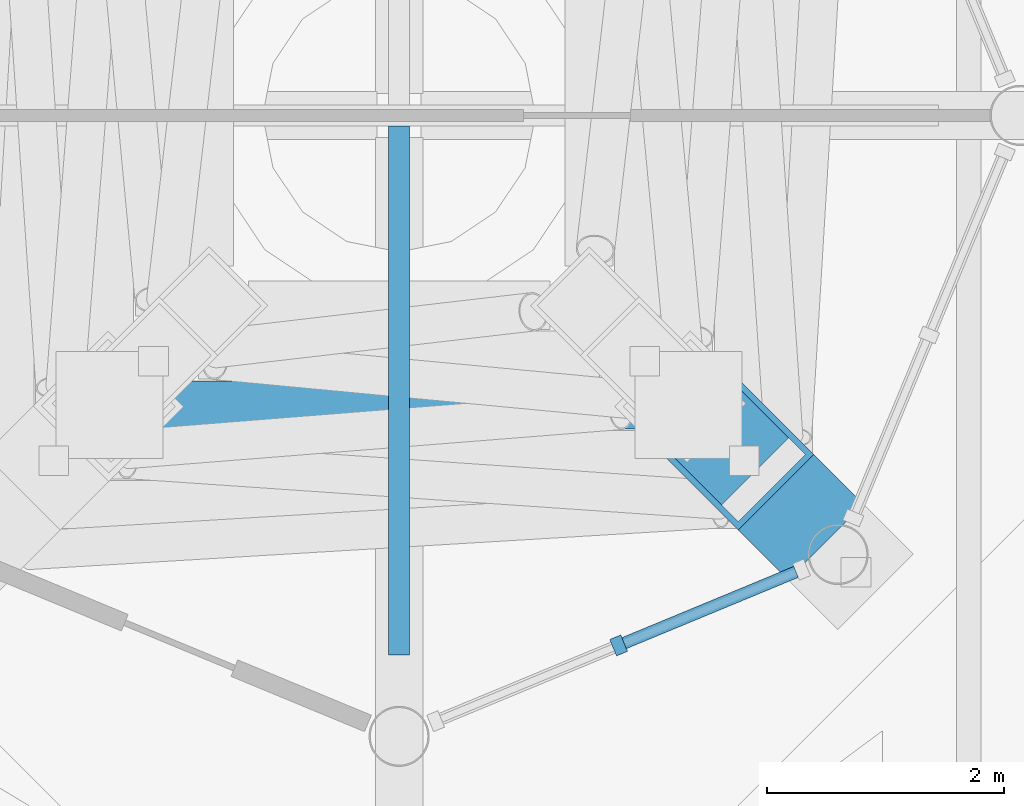
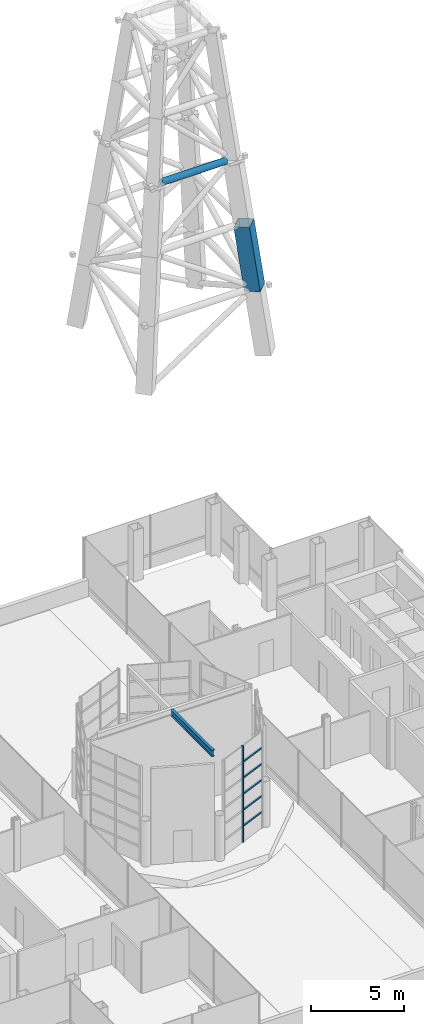
# One storey, part 10 of 32: 8 members, 1 beam, 1 element without a shape of its own.
"""IFC4 building model written with IfcOpenShell, lengths in metres."""

from ifc_helpers import new_model, si_unit, direction, frame, origin, origin_2d, place, context, subcontext, project, spatial, rectangle, hollow_rectangle, hollow_circle, i_section, extrude, material, material_profile, profile_set, type_object, element, aggregate, save


model = new_model("IFC4")

# Units and contexts
model_context = context("Model", 3, precision=1e-05, world=origin(), true_north=direction((0.0, 1.0)))
body_context = subcontext(model_context, "Body", "Model", "MODEL_VIEW")
ifc_project = project(units=[si_unit("LENGTHUNIT", "METRE"), si_unit("AREAUNIT", "SQUARE_METRE"), si_unit("VOLUMEUNIT", "CUBIC_METRE"), si_unit("PLANEANGLEUNIT", "RADIAN"), si_unit("MASSUNIT", "GRAM", prefix="KILO")], contexts=[model_context])

# Site, building, storey
site_placement = place(None, origin())
site = spatial("IfcSite", under=ifc_project, at=site_placement, CompositionType="ELEMENT")
building_placement = place(site_placement, origin())
building = spatial("IfcBuilding", under=site, at=building_placement, Name="Cobrizo Arcos Hotel Tower", CompositionType="ELEMENT")
storey_placement = place(building_placement, frame((0.0, 0.0, 265.5)))
storey = spatial("IfcBuildingStorey", under=building, at=storey_placement, Name="L70", CompositionType="ELEMENT", Elevation=265.5)

# Curtain wall, members
ifc_material_1 = material(Name="Aluminium 6063-T6 anodised bronze", Category="aluminium")
curtain_wall_type = type_object("IfcCurtainWallType", Name="CW-D plant louvre wall", PredefinedType="NOTDEFINED", material=ifc_material_1)
curtain_wall_placement = place(storey_placement, origin())
curtain_wall = element("IfcCurtainWall", 1, at=curtain_wall_placement, inside=storey, type_object=curtain_wall_type, Name="CW-D drum louvre wall 7", PredefinedType="NOTDEFINED")
ifc_material_profile_1 = material_profile(ifc_material_1, rectangle(XDim=0.14990234375, YDim=0.10009765625, at=origin_2d()), Name="CW-D mullion 150x100")
ifc_profile_set_1 = profile_set([ifc_material_profile_1], Name="Aluminium 6063-T6 anodised bronze")
member_type_1 = type_object("IfcMemberType", Name="CW-D mullion 150x100", PredefinedType="MULLION", material=ifc_profile_set_1)
member_1_placement = place(storey_placement, frame((1.85009765625, -4.46630859375, 0.5), z_axis=(0.0, 0.0, 1.0), x_axis=(0.382683432365, -0.923879532511, 0.0)))
member_1 = element("IfcMember", 2, at=member_1_placement, type_object=member_type_1, Name="CW-D mullion 2", PredefinedType="MULLION", context=body_context, shape_type="SweptSolid", body=[
    extrude(rectangle(XDim=0.14990234375, YDim=0.10009765625, at=origin_2d()), origin(), (0.0, 0.0, 1.0), 6.300048828125),
])
ifc_material_profile_2 = material_profile(ifc_material_1, rectangle(XDim=0.10009765625, YDim=0.10009765625, at=origin_2d()), Name="CW-D transom 100x100")
ifc_profile_set_2 = profile_set([ifc_material_profile_2], Name="Aluminium 6063-T6 anodised bronze")
member_type_2 = type_object("IfcMemberType", Name="CW-D transom 100x100", PredefinedType="USERDEFINED", material=ifc_profile_set_2)
member_2_placement = place(storey_placement, frame((1.896240234375, -4.447265625, 1.550048828125), z_axis=(0.923844168663, 0.382768797092, 0.0), x_axis=(-0.382768797092, 0.923844168663, 0.0)))
member_2 = element("IfcMember", 3, at=member_2_placement, type_object=member_type_2, Name="CW-D transom 2-1", ObjectType="TRANSOM", PredefinedType="USERDEFINED", context=body_context, shape_type="SweptSolid", body=[
    extrude(rectangle(XDim=0.10009765625, YDim=0.10009765625, at=origin_2d()), origin(), (0.0, 0.0, 1.0), 1.568359375),
])
member_3_placement = place(storey_placement, frame((1.896240234375, -4.447265625, 2.60009765625), z_axis=(0.923844168663, 0.382768797092, 0.0), x_axis=(-0.382768797092, 0.923844168663, 0.0)))
member_3 = element("IfcMember", 4, at=member_3_placement, type_object=member_type_2, Name="CW-D transom 2-2", ObjectType="TRANSOM", PredefinedType="USERDEFINED", context=body_context, shape_type="SweptSolid", body=[
    extrude(rectangle(XDim=0.10009765625, YDim=0.10009765625, at=origin_2d()), origin(), (0.0, 0.0, 1.0), 1.568359375),
])
member_4_placement = place(storey_placement, frame((1.896240234375, -4.447265625, 3.64990234375), z_axis=(0.923844168663, 0.382768797092, 0.0), x_axis=(-0.382768797092, 0.923844168663, 0.0)))
member_4 = element("IfcMember", 5, at=member_4_placement, type_object=member_type_2, Name="CW-D transom 2-3", ObjectType="TRANSOM", PredefinedType="USERDEFINED", context=body_context, shape_type="SweptSolid", body=[
    extrude(rectangle(XDim=0.10009765625, YDim=0.10009765625, at=origin_2d()), origin(), (0.0, 0.0, 1.0), 1.568359375),
])
member_5_placement = place(storey_placement, frame((1.896240234375, -4.447265625, 4.699951171875), z_axis=(0.923844168663, 0.382768797092, 0.0), x_axis=(-0.382768797092, 0.923844168663, 0.0)))
member_5 = element("IfcMember", 6, at=member_5_placement, type_object=member_type_2, Name="CW-D transom 2-4", ObjectType="TRANSOM", PredefinedType="USERDEFINED", context=body_context, shape_type="SweptSolid", body=[
    extrude(rectangle(XDim=0.10009765625, YDim=0.10009765625, at=origin_2d()), origin(), (0.0, 0.0, 1.0), 1.568359375),
])
member_6_placement = place(storey_placement, frame((1.896240234375, -4.447265625, 5.75), z_axis=(0.923844168663, 0.382768797092, 0.0), x_axis=(-0.382768797092, 0.923844168663, 0.0)))
member_6 = element("IfcMember", 7, at=member_6_placement, type_object=member_type_2, Name="CW-D transom 2-5", ObjectType="TRANSOM", PredefinedType="USERDEFINED", context=body_context, shape_type="SweptSolid", body=[
    extrude(rectangle(XDim=0.10009765625, YDim=0.10009765625, at=origin_2d()), origin(), (0.0, 0.0, 1.0), 1.568359375),
])
aggregate(curtain_wall, [member_1, member_2, member_3, member_4, member_5, member_6])

# Members
ifc_material_2 = material(Name="Steel ASTM A572 Grade 50", Category="steel")
ifc_material_profile_3 = material_profile(ifc_material_2, hollow_rectangle(XDim=0.89990234375, YDim=0.89990234375, WallThickness=0.050048828125, at=origin_2d()), Name="BOX 900X900X50")
ifc_profile_set_3 = profile_set([ifc_material_profile_3], Name="Steel ASTM A572 Grade 50")
member_type_3 = type_object("IfcMemberType", Name="MAST leg BOX 900X900X50", PredefinedType="CHORD", material=ifc_profile_set_3)
member_7_placement = place(storey_placement, frame((3.280029296875, -3.280029296875, 35.60009765625), z_axis=(-0.101365761291, 0.101365761291, 0.989671644979), x_axis=(-0.707106781187, -0.707106781187, 0.0)))
element("IfcMember", 8, at=member_7_placement, inside=storey, type_object=member_type_3, Name="MAST leg SE stage 2", PredefinedType="CHORD", context=body_context, shape_type="SweptSolid", body=[
    extrude(hollow_rectangle(XDim=0.89990234375, YDim=0.89990234375, WallThickness=0.050048828125, at=origin_2d()), origin(), (0.0, 0.0, 1.0), 4.142578125),
])
ifc_material_3 = material(Name="Steel ASTM A500 Grade C", Category="steel")
ifc_material_profile_4 = material_profile(ifc_material_3, hollow_circle(Radius=0.203125, WallThickness=0.01171875, at=origin_2d()), Name="HSS16.000X0.500")
ifc_profile_set_4 = profile_set([ifc_material_profile_4], Name="Steel ASTM A500 Grade C")
member_type_4 = type_object("IfcMemberType", Name="MAST strut HSS16.000X0.500", PredefinedType="STRUT", material=ifc_profile_set_4)
member_8_placement = place(storey_placement, frame((-2.010009765625, -2.43994140625, 43.800048828125), z_axis=(1.0, 0.0, 0.0), x_axis=(0.0, 1.0, 0.0)))
element("IfcMember", 9, at=member_8_placement, inside=storey, type_object=member_type_4, Name="MAST strut level 3 face 1", PredefinedType="STRUT", context=body_context, shape_type="SweptSolid", body=[
    extrude(hollow_circle(Radius=0.203125, WallThickness=0.01171875, at=origin_2d()), origin(), (0.0, 0.0, 1.0), 4.02001953125),
])

# Beam
ifc_material_4 = material(Name="Steel ASTM A992 Grade 50", Category="steel")
ifc_material_profile_5 = material_profile(ifc_material_4, i_section(OverallWidth=0.177734375, OverallDepth=0.406494140625, WebThickness=0.0078125, FlangeThickness=0.0126953125, at=origin_2d()), Name="W16X40")
ifc_profile_set_5 = profile_set([ifc_material_profile_5], Name="Steel ASTM A992 Grade 50")
beam_type = type_object("IfcBeamType", Name="W16X40 drum roof beam", PredefinedType="BEAM", material=ifc_profile_set_5)
beam_placement = place(storey_placement, frame((0.0, -0.0888671875, 6.996826171875), z_axis=(0.0, -1.0, 0.0), x_axis=(1.0, 0.0, 0.0)))
element("IfcBeam", 10, at=beam_placement, inside=storey, type_object=beam_type, Name="Drum roof beam DB-2, north-south, no. 0", PredefinedType="BEAM", context=body_context, shape_type="SweptSolid", body=[
    extrude(i_section(OverallWidth=0.177734375, OverallDepth=0.406494140625, WebThickness=0.0078125, FlangeThickness=0.0126953125, at=origin_2d()), origin(), (0.0, 0.0, 1.0), 4.45751953125),
])

save(model, "model.ifc")
